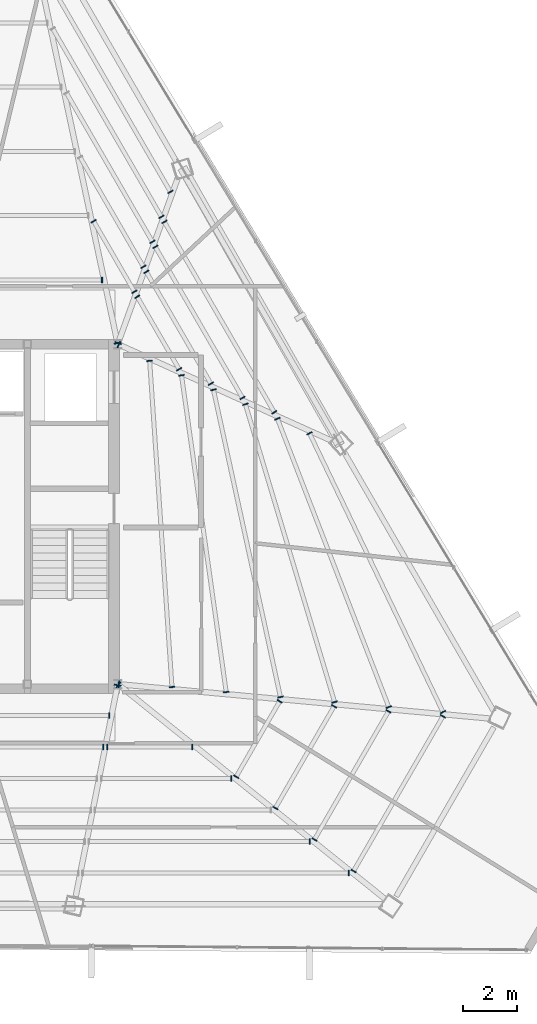
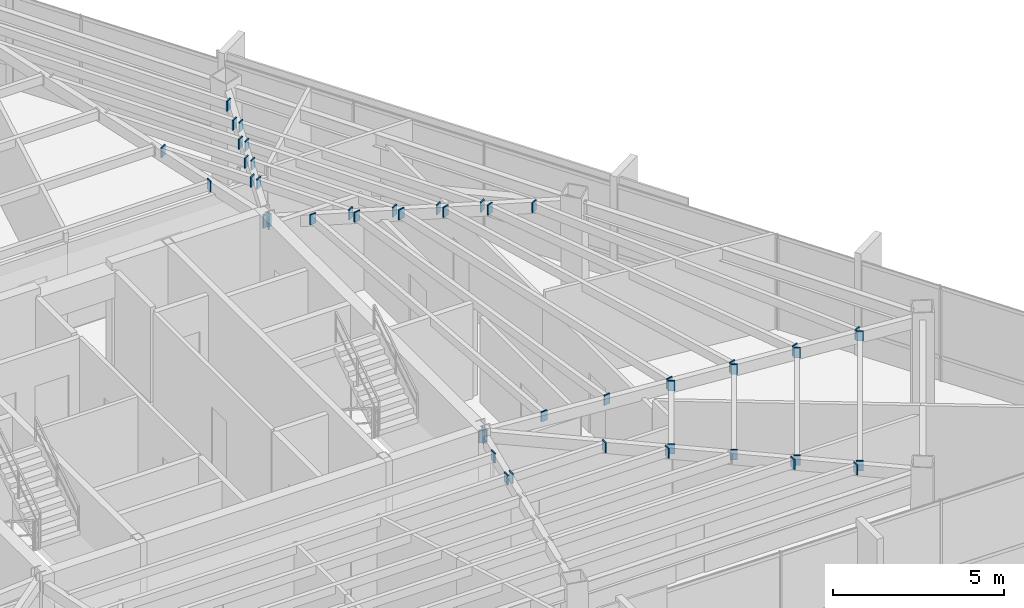
# One storey, part 40 of 47: 48 plates.
"""IFC4 building model written with IfcOpenShell, lengths in metres."""

from ifc_helpers import new_model, si_unit, direction, frame, origin, origin_2d, place, context, subcontext, project, spatial, rectangle, extrude, source, transform, mapped, material, layer, layer_set, type_object, type_shapes, element, save


model = new_model("IFC4")

# Units and contexts
model_context = context("Model", 3, precision=1e-05, world=origin(), true_north=direction((0.0, 1.0)))
body_context = subcontext(model_context, "Body", "Model", "MODEL_VIEW")
ifc_project = project(units=[si_unit("LENGTHUNIT", "METRE"), si_unit("AREAUNIT", "SQUARE_METRE"), si_unit("VOLUMEUNIT", "CUBIC_METRE"), si_unit("PLANEANGLEUNIT", "RADIAN"), si_unit("MASSUNIT", "GRAM", prefix="KILO")], contexts=[model_context])

# Site, building, storey
site_placement = place(None, origin())
site = spatial("IfcSite", under=ifc_project, at=site_placement, CompositionType="ELEMENT")
building_placement = place(site_placement, origin())
building = spatial("IfcBuilding", under=site, at=building_placement, Name="Caelisora Broadcast Tower", CompositionType="ELEMENT")
storey_placement = place(building_placement, frame((0.0, 0.0, 248.10009765625)))
storey = spatial("IfcBuildingStorey", under=building, at=storey_placement, Name="L65", CompositionType="ELEMENT", Elevation=248.10009765625)

# Plates
ifc_material = material(Name="Steel Grade 350 L15 (AS/NZS 3678)", Category="steel")
ifc_layer = layer(ifc_material, 0.0400390625, Name="Steel Grade 350 L15 (AS/NZS 3678)")
ifc_layer_set = layer_set([ifc_layer], Name="Steel Grade 350 L15 (AS/NZS 3678)")
plate_type = type_object("IfcPlateType", Name="GP04", PredefinedType="USERDEFINED", material=ifc_layer_set)
shared_shape_1 = source(origin(), body_context, "Body", "SweptSolid", [
    extrude(rectangle(XDim=0.260009765625, YDim=0.0400390625, at=origin_2d()), origin(), (0.0, 0.0, 1.0), 0.4599609375),
])
for number, where, z_axis, x_axis, name in (
    (1, (45.49169921875, 30.0390625, 2.969970703125), (0.0, 0.0, 1.0), (-0.978147600734, -0.207911690818, 0.0), "L65 gusset plate GP04 (ND-RAD-L65-01)"),
    (2, (45.4921875, 17.36083984375, 2.969970703125), (0.0, 0.0, 1.0), (0.980955155349, -0.19423435122, 0.0), "L65 gusset plate GP04 (ND-RAD-L65-08)"),
    (3, (45.53125, 17.375, 2.969970703125), (0.0, 0.0, 1.0), (0.626467781687, 0.779447316057, 0.0), "L65 gusset plate GP04 (ND-RAD-L65-09)"),
    (4, (45.539794921875, 17.396240234375, 2.969970703125), (0.0, 0.0, 1.0), (0.092196799296, 0.995740804728, 0.0), "L65 gusset plate GP04 (ND-RAD-L65-10)"),
    (5, (45.53662109375, 29.9833984375, 2.969970703125), (0.0, 0.0, 1.0), (0.411673422216, 0.91133143995, 0.0), "L65 gusset plate GP04 (ND-RAD-L65-11)"),
    (6, (45.513671875, 30.03759765625, 2.969970703125), (0.0, 0.0, 1.0), (-0.940466220425, 0.339887169865, 0.0), "L65 gusset plate GP04 (ND-RAD-L65-12)"),
):
    element("IfcPlate", number, at=place(storey_placement, frame(where, z_axis=z_axis, x_axis=x_axis)), inside=storey, type_object=plate_type, Name=name, ObjectType="GUSSET PLATE", PredefinedType="USERDEFINED", context=body_context, shape_type="MappedRepresentation", body=[
        mapped(shared_shape_1, transform((0.0, 0.0, 0.0), scale=1.0)),
    ])
shared_shape_2 = source(origin(), body_context, "Body", "SweptSolid", [
    extrude(rectangle(XDim=0.2099609375, YDim=0.0400390625, at=origin_2d()), origin(), (0.0, 0.0, 1.0), 0.360107421875),
])
type_shapes(plate_type, [shared_shape_1, shared_shape_2])
for number, where, z_axis, x_axis, name in (
    (7, (44.914794921875, 32.380859375, 3.06982421875), (0.0, 0.0, 1.0), (0.0, -1.0, 0.0), "L65 gusset plate GP04 (ND-SB-L65-001A)"),
    (8, (45.190185546875, 16.234375, 3.06982421875), (0.0, 0.0, 1.0), (0.0, 1.0, 0.0), "L65 gusset plate GP04 (ND-SB-L65-031B)"),
    (9, (44.959228515625, 15.068603515625, 3.06982421875), (0.0, 0.0, 1.0), (0.0, 1.0, 0.0), "L65 gusset plate GP04 (ND-SB-L65-032B)"),
    (10, (45.1171875, 15.068603515625, 3.06982421875), (0.0, 0.0, 1.0), (0.0, 1.0, 0.0), "L65 gusset plate GP04 (ND-SB-L65-037A)"),
    (11, (48.263671875, 15.068603515625, 3.06982421875), (0.0, 0.0, 1.0), (0.0, 1.0, 0.0), "L65 gusset plate GP04 (ND-SB-L65-037B)"),
    (12, (49.7138671875, 13.90283203125, 3.06982421875), (0.0, 0.0, 1.0), (0.0, 1.0, 0.0), "L65 gusset plate GP04 (ND-SB-L65-038B)"),
    (13, (52.6142578125, 11.5712890625, 3.06982421875), (0.0, 0.0, 1.0), (0.0, 1.0, 0.0), "L65 gusset plate GP04 (ND-SB-L65-040B)"),
    (14, (54.064453125, 10.405517578125, 3.06982421875), (0.0, 0.0, 1.0), (0.0, 1.0, 0.0), "L65 gusset plate GP04 (ND-SB-L65-041B)"),
    (15, (49.8896484375, 13.970458984375, 3.06982421875), (0.0, 0.0, 1.0), (-0.866025403784, 0.5, 0.0), "L65 gusset plate GP04 (ND-SB-L65-042A)"),
    (16, (51.5029296875, 16.7646484375, 3.06982421875), (0.0, 0.0, 1.0), (-0.866025403784, 0.5, 0.0), "L65 gusset plate GP04 (ND-SB-L65-042B)"),
    (17, (51.33984375, 12.8046875, 3.06982421875), (0.0, 0.0, 1.0), (-0.866025403784, 0.5, 0.0), "L65 gusset plate GP04 (ND-SB-L65-043A)"),
    (18, (53.518310546875, 16.578125, 3.06982421875), (0.0, 0.0, 1.0), (-0.866025403784, 0.5, 0.0), "L65 gusset plate GP04 (ND-SB-L65-043B)"),
    (19, (52.7900390625, 11.638916015625, 3.06982421875), (0.0, 0.0, 1.0), (-0.866025403784, 0.5, 0.0), "L65 gusset plate GP04 (ND-SB-L65-044A)"),
    (20, (55.53369140625, 16.3916015625, 3.06982421875), (0.0, 0.0, 1.0), (-0.866025403784, 0.5, 0.0), "L65 gusset plate GP04 (ND-SB-L65-044B)"),
    (21, (54.239990234375, 10.473388671875, 3.06982421875), (0.0, 0.0, 1.0), (-0.866025403784, 0.5, 0.0), "L65 gusset plate GP04 (ND-SB-L65-045A)"),
    (22, (57.54931640625, 16.204833984375, 3.06982421875), (0.0, 0.0, 1.0), (-0.866025403784, 0.5, 0.0), "L65 gusset plate GP04 (ND-SB-L65-045B)"),
    (23, (47.510009765625, 17.29150390625, 3.06982421875), (0.0, 0.0, 1.0), (-0.997660476238, -0.068363544026, 0.0), "L65 gusset plate GP04 (ND-SB-L65-046A)"),
    (24, (46.68115234375, 29.37890625, 3.06982421875), (0.0, 0.0, 1.0), (-0.997660476238, -0.068363544026, 0.0), "L65 gusset plate GP04 (ND-SB-L65-046B)"),
    (25, (49.519775390625, 17.105712890625, 3.06982421875), (0.0, 0.0, 1.0), (-0.990195062136, -0.139691585007, 0.0), "L65 gusset plate GP04 (ND-SB-L65-047A)"),
    (26, (47.86328125, 28.843994140625, 3.06982421875), (0.0, 0.0, 1.0), (-0.990195062136, -0.139691585007, 0.0), "L65 gusset plate GP04 (ND-SB-L65-047B)"),
    (27, (51.529052734375, 16.920166015625, 3.06982421875), (0.0, 0.0, 1.0), (-0.977045574435, -0.213030386275, 0.0), "L65 gusset plate GP04 (ND-SB-L65-048A)"),
    (28, (49.04638671875, 28.308349609375, 3.06982421875), (0.0, 0.0, 1.0), (-0.977045574435, -0.213030386275, 0.0), "L65 gusset plate GP04 (ND-SB-L65-048B)"),
    (29, (53.53759765625, 16.73486328125, 3.06982421875), (0.0, 0.0, 1.0), (-0.957922744234, -0.287026159226, 0.0), "L65 gusset plate GP04 (ND-SB-L65-049A)"),
    (30, (50.231201171875, 27.77197265625, 3.06982421875), (0.0, 0.0, 1.0), (-0.957922744234, -0.287026159226, 0.0), "L65 gusset plate GP04 (ND-SB-L65-049B)"),
    (31, (55.54541015625, 16.5498046875, 3.06982421875), (0.0, 0.0, 1.0), (-0.932827815397, -0.3603224484, 0.0), "L65 gusset plate GP04 (ND-SB-L65-050A)"),
    (32, (51.417724609375, 27.234619140625, 3.06982421875), (0.0, 0.0, 1.0), (-0.932827815397, -0.3603224484, 0.0), "L65 gusset plate GP04 (ND-SB-L65-050B)"),
    (33, (57.552490234375, 16.364501953125, 3.06982421875), (0.0, 0.0, 1.0), (-0.901983297839, -0.431770923546, 0.0), "L65 gusset plate GP04 (ND-SB-L65-051A)"),
    (34, (52.606689453125, 26.696044921875, 3.06982421875), (0.0, 0.0, 1.0), (-0.901983297839, -0.431770923546, 0.0), "L65 gusset plate GP04 (ND-SB-L65-051B)"),
    (35, (47.775634765625, 29.06689453125, 3.06982421875), (0.0, 0.0, 1.0), (-0.866025403784, -0.5, 0.0), "L65 gusset plate GP04 (ND-SB-L65-052A)"),
    (36, (46.22265625, 31.7568359375, 3.06982421875), (0.0, 0.0, 1.0), (-0.866025403784, -0.5, 0.0), "L65 gusset plate GP04 (ND-SB-L65-052B)"),
    (37, (48.95068359375, 28.5361328125, 3.06982421875), (0.0, 0.0, 1.0), (-0.866025403784, -0.5, 0.0), "L65 gusset plate GP04 (ND-SB-L65-053A)"),
    (38, (46.55712890625, 32.681884765625, 3.06982421875), (0.0, 0.0, 1.0), (-0.866025403784, -0.5, 0.0), "L65 gusset plate GP04 (ND-SB-L65-053B)"),
    (39, (50.12548828125, 28.00537109375, 3.06982421875), (0.0, 0.0, 1.0), (-0.866025403784, -0.5, 0.0), "L65 gusset plate GP04 (ND-SB-L65-054A)"),
    (40, (46.8916015625, 33.60693359375, 3.06982421875), (0.0, 0.0, 1.0), (-0.866025403784, -0.5, 0.0), "L65 gusset plate GP04 (ND-SB-L65-054B)"),
    (41, (51.300537109375, 27.474609375, 3.06982421875), (0.0, 0.0, 1.0), (-0.866025403784, -0.5, 0.0), "L65 gusset plate GP04 (ND-SB-L65-055A)"),
    (42, (47.225830078125, 34.531982421875, 3.06982421875), (0.0, 0.0, 1.0), (-0.866025403784, -0.5, 0.0), "L65 gusset plate GP04 (ND-SB-L65-055B)"),
    (43, (46.114990234375, 31.943603515625, 3.06982421875), (0.0, 0.0, 1.0), (-0.866025403784, -0.5, 0.0), "L65 gusset plate GP04 (ND-SB-L65-056A)"),
    (44, (44.60791015625, 34.5537109375, 3.06982421875), (0.0, 0.0, 1.0), (-0.866025403784, -0.5, 0.0), "L65 gusset plate GP04 (ND-SB-L65-056B)"),
    (45, (46.44921875, 32.86865234375, 3.06982421875), (0.0, 0.0, 1.0), (-0.866025403784, -0.5, 0.0), "L65 gusset plate GP04 (ND-SB-L65-057A)"),
    (46, (46.78369140625, 33.793701171875, 3.06982421875), (0.0, 0.0, 1.0), (-0.866025403784, -0.5, 0.0), "L65 gusset plate GP04 (ND-SB-L65-058A)"),
    (47, (47.1181640625, 34.71875, 3.06982421875), (0.0, 0.0, 1.0), (-0.866025403784, -0.5, 0.0), "L65 gusset plate GP04 (ND-SB-L65-059A)"),
    (48, (47.452392578125, 35.643798828125, 3.06982421875), (0.0, 0.0, 1.0), (-0.866025403784, -0.5, 0.0), "L65 gusset plate GP04 (ND-SB-L65-060A)"),
):
    element("IfcPlate", number, at=place(storey_placement, frame(where, z_axis=z_axis, x_axis=x_axis)), inside=storey, type_object=plate_type, Name=name, ObjectType="GUSSET PLATE", PredefinedType="USERDEFINED", context=body_context, shape_type="MappedRepresentation", body=[
        mapped(shared_shape_2, transform((0.0, 0.0, 0.0), scale=1.0)),
    ])

save(model, "model.ifc")
